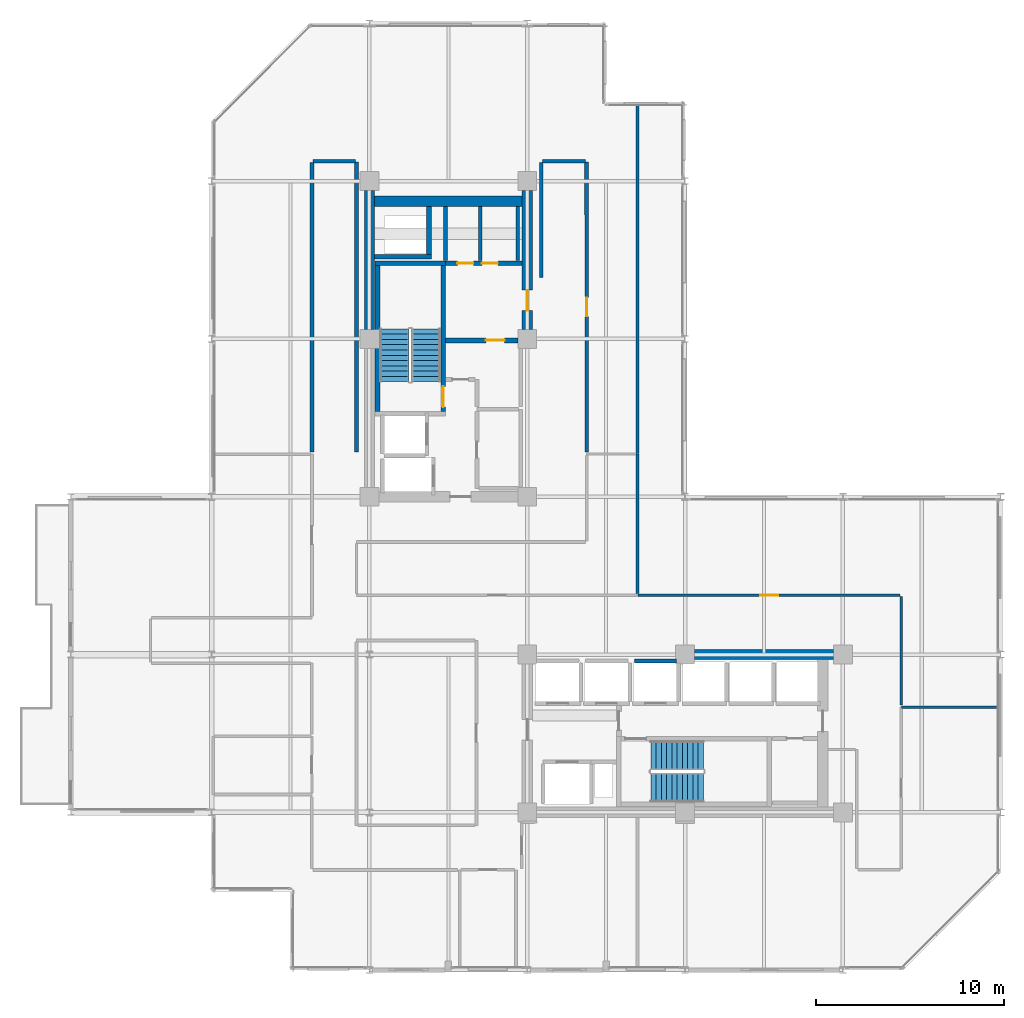
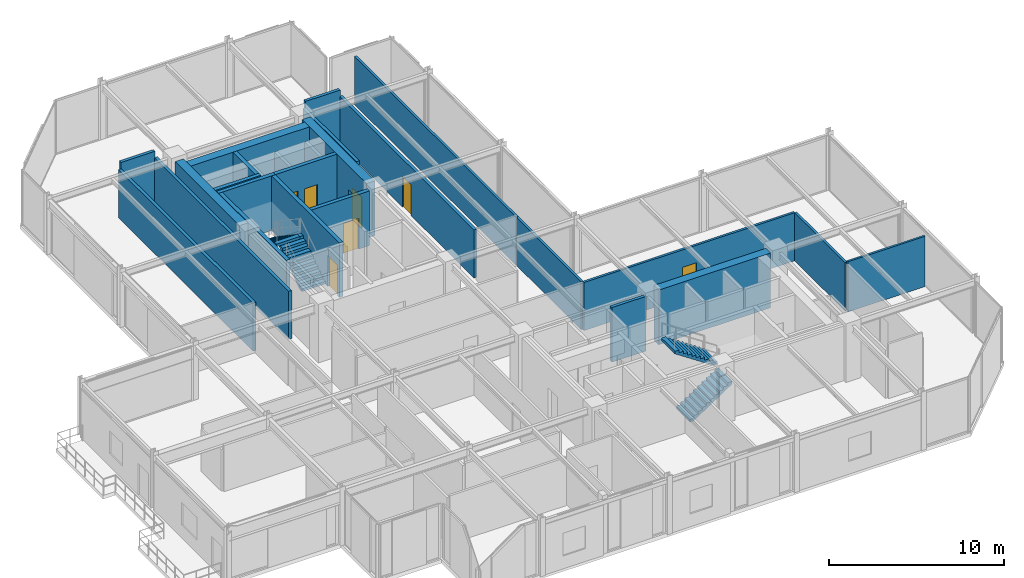
# One storey, part 26 of 29: 26 walls, 7 doors, 4 stair flights, 7 openings, 2 elements without a shape of their own.
"""IFC4 building model written with IfcOpenShell, lengths in metres."""

import ifcopenshell
import ifcopenshell.guid

model = None  # the IFC model being written
_history = None  # IfcOwnerHistory: only IFC2X3 demands one
_inside = {}  # id of a spatial element -> (the spatial element, [elements in it])
_under = {}  # id of a project, library or spatial element -> (it, [spatial elements below it])
_declared = {}  # id of a project -> (the project, [libraries it declares])
_typed = {}  # id of a type object -> (the type object, [elements of that type])
_made_of = {}  # id of a material, layer set ... -> (it, [elements and type objects made of it])


def new_model(schema):
    """Start an empty IFC model of exactly this schema.

    Asked for "IFC4X3", IfcOpenShell would pick the latest addendum, in which some entities
    have other attributes; the version numbers below select the first issue.
    IFC2X3 requires an IfcOwnerHistory on every rooted entity: one is made here for all.
    """
    global model, _history
    if schema == "IFC4X3":
        model = ifcopenshell.file(schema_version=(4, 3, 0, 0))
    else:
        model = ifcopenshell.file(schema=schema)
    _inside.clear()
    _under.clear()
    _declared.clear()
    _typed.clear()
    _made_of.clear()
    _history = None
    if model.schema == "IFC2X3":
        org = make("IfcOrganization", Name="unknown")
        user = make(
            "IfcPersonAndOrganization",
            ThePerson=make("IfcPerson", FamilyName="unknown"),
            TheOrganization=org,
        )
        app = make(
            "IfcApplication",
            ApplicationDeveloper=org,
            Version="unknown",
            ApplicationFullName="unknown",
            ApplicationIdentifier="unknown",
        )
        _history = make(
            "IfcOwnerHistory",
            OwningUser=user,
            OwningApplication=app,
            ChangeAction="ADDED",
            CreationDate=0,
        )
    return model


def make(cls, **values):
    """One entity of the class cls with the attributes given. An attribute that is None is left unset."""
    return model.create_entity(
        cls, **{name: value for name, value in values.items() if value is not None}
    )


def rooted(cls, **values):
    """An entity with a GlobalId (a new one), such as an element, a storey or a relation."""
    return make(cls, GlobalId=ifcopenshell.guid.new(), OwnerHistory=_history, **values)


def si_unit(unit_type, name, prefix=None):
    """IfcSIUnit, for example si_unit("LENGTHUNIT", "METRE", prefix="MILLI")."""
    return make("IfcSIUnit", UnitType=unit_type, Prefix=prefix, Name=name)


def assignment(units):
    """IfcUnitAssignment: the units of a project."""
    return None if units is None else make("IfcUnitAssignment", Units=units)


def point(xyz):
    """IfcCartesianPoint."""
    return None if xyz is None else make("IfcCartesianPoint", Coordinates=xyz)


def direction(xyz):
    """IfcDirection."""
    return None if xyz is None else make("IfcDirection", DirectionRatios=xyz)


def frame(location, z_axis=None, x_axis=None):
    """IfcAxis2Placement3D, a coordinate frame: its origin and axes. An axis left out is left unset."""
    return make(
        "IfcAxis2Placement3D",
        Location=point(location),
        Axis=direction(z_axis),
        RefDirection=direction(x_axis),
    )


def frame_2d(location, x_axis=None):
    """IfcAxis2Placement2D, a coordinate frame in the plane: its origin and x axis."""
    return make(
        "IfcAxis2Placement2D", Location=point(location), RefDirection=direction(x_axis)
    )


def origin():
    """The frame at (0, 0, 0) with its axes left unset."""
    return frame((0.0, 0.0, 0.0))


def place(relative_to, where):
    """IfcLocalPlacement: puts the frame where relative to a parent placement (None: the world)."""
    return make(
        "IfcLocalPlacement", PlacementRelTo=relative_to, RelativePlacement=where
    )


def context(
    kind, dimensions, precision=None, world=None, true_north=None, identifier=None
):
    """IfcGeometricRepresentationContext, for example the 3D "Model" context."""
    return make(
        "IfcGeometricRepresentationContext",
        ContextIdentifier=identifier,
        ContextType=kind,
        CoordinateSpaceDimension=dimensions,
        Precision=precision,
        WorldCoordinateSystem=world,
        TrueNorth=true_north,
    )


def subcontext(parent, identifier, kind, view, scale=None):
    """IfcGeometricRepresentationSubContext, for example "Body" below "Model"."""
    return make(
        "IfcGeometricRepresentationSubContext",
        ContextIdentifier=identifier,
        ContextType=kind,
        ParentContext=parent,
        TargetScale=scale,
        TargetView=view,
    )


def project(units=None, contexts=None):
    """IfcProject with its units and contexts."""
    return rooted(
        "IfcProject",
        Name="project",
        RepresentationContexts=contexts,
        UnitsInContext=assignment(units),
    )


def spatial(cls, under=None, at=None, **own):
    """A site, building, storey or space (cls), placed at a placement, below another one or the project."""
    s = rooted(cls, ObjectPlacement=at, **own)
    if under is not None:
        _under.setdefault(under.id(), (under, []))[1].append(s)
    return s


def polyline(points):
    """IfcPolyline through the points."""
    return make("IfcPolyline", Points=[point(p) for p in points])


def profile(cls, at=None, kind="AREA", **sizes):
    """A parametric profile (cls). Its sizes go by their IFC names, for example OverallWidth=200.0."""
    return make(cls, ProfileType=kind, Position=at, **sizes)


def rectangle(**sizes):
    """IfcRectangleProfileDef."""
    return profile("IfcRectangleProfileDef", **sizes)


def outline(outer, holes=None, kind="AREA"):
    """IfcArbitraryClosedProfileDef: a profile drawn as a closed curve; with holes, ...WithVoids."""
    if holes is None:
        return make("IfcArbitraryClosedProfileDef", ProfileType=kind, OuterCurve=outer)
    return make(
        "IfcArbitraryProfileDefWithVoids",
        ProfileType=kind,
        OuterCurve=outer,
        InnerCurves=holes,
    )


def extrude(swept, where, along, depth):
    """IfcExtrudedAreaSolid: the profile swept, set in the frame where, extruded along a direction by depth."""
    return make(
        "IfcExtrudedAreaSolid",
        SweptArea=swept,
        Position=where,
        ExtrudedDirection=direction(along),
        Depth=depth,
    )


def shape(context_of_items, identifier, shape_type, items):
    """IfcShapeRepresentation: the items that make up one representation, for example the "Body"."""
    return make(
        "IfcShapeRepresentation",
        ContextOfItems=context_of_items,
        RepresentationIdentifier=identifier,
        RepresentationType=shape_type,
        Items=items,
    )


def material(Name=None, Category=None):
    """IfcMaterial."""
    return make("IfcMaterial", Name=Name, Category=Category)


def layer(
    of_material, thickness, ventilated=None, Name=None, Category=None, Priority=None
):
    """IfcMaterialLayer: one layer of a wall or slab, of a material (None: an air gap)."""
    return make(
        "IfcMaterialLayer",
        Material=of_material,
        LayerThickness=thickness,
        IsVentilated=ventilated,
        Name=Name,
        Category=Category,
        Priority=Priority,
    )


def layer_set(layers, Name=None):
    """IfcMaterialLayerSet."""
    return make("IfcMaterialLayerSet", MaterialLayers=layers, LayerSetName=Name)


def made_of(thing, what):
    """Note that an element or type object is made of a material, layer set ...; save() writes the relation."""
    if what is not None:
        _made_of.setdefault(what.id(), (what, []))[1].append(thing)
    return thing


def type_object(cls, material=None, **own):
    """A type object (cls), such as IfcWallType, which elements share."""
    return made_of(rooted(cls, **own), material)


def element(
    cls,
    number,
    at=None,
    inside=None,
    cuts=None,
    type_object=None,
    material=None,
    context=None,
    identifier="Body",
    shape_type=None,
    held_by="IfcProductDefinitionShape",
    body=None,
    shapes=None,
    **own,
):
    """One element of the class cls, such as IfcWall. Its Tag is "e" and its number.

    at: its placement. inside: the storey or other place that contains it. cuts: it is an
    opening in that element (IfcRelVoidsElement). A single representation is given by context,
    identifier, shape_type and body (its items); several are given by shapes. held_by: the class
    of the entity that holds the representations. save() writes the other relations.
    """
    e = rooted(cls, Tag="e%d" % number, ObjectPlacement=at, **own)
    if body is not None:
        shapes = [shape(context, identifier, shape_type, body)]
    if shapes is not None:
        e.Representation = make(held_by, Representations=shapes)
    if inside is not None:
        _inside.setdefault(inside.id(), (inside, []))[1].append(e)
    if cuts is not None:
        rooted(
            "IfcRelVoidsElement", RelatingBuildingElement=cuts, RelatedOpeningElement=e
        )
    if type_object is not None:
        _typed.setdefault(type_object.id(), (type_object, []))[1].append(e)
    return made_of(e, material)


def fill(opening, filler):
    """IfcRelFillsElement: the door or window that sits in an opening."""
    return rooted(
        "IfcRelFillsElement",
        RelatingOpeningElement=opening,
        RelatedBuildingElement=filler,
    )


def aggregate(whole, parts):
    """IfcRelAggregates: a whole, such as a stair, and the parts it consists of."""
    return rooted("IfcRelAggregates", RelatingObject=whole, RelatedObjects=parts)


def save(model, path):
    """Write the relations noted so far, then the file.

    IfcRelAggregates (storeys below a building ...), IfcRelContainedInSpatialStructure (elements
    in a storey), IfcRelDefinesByType, IfcRelAssociatesMaterial and IfcRelDeclares: one each for
    every whole, place, type object, material and project.
    """
    for whole, parts in _under.values():
        aggregate(whole, parts)
    for where, things in _inside.values():
        rooted(
            "IfcRelContainedInSpatialStructure",
            RelatedElements=things,
            RelatingStructure=where,
        )
    for kind, things in _typed.values():
        rooted("IfcRelDefinesByType", RelatedObjects=things, RelatingType=kind)
    for what, things in _made_of.values():
        rooted("IfcRelAssociatesMaterial", RelatedObjects=things, RelatingMaterial=what)
    for by, libraries in _declared.values():
        rooted("IfcRelDeclares", RelatingContext=by, RelatedDefinitions=libraries)
    model.write(path)


model = new_model("IFC4")

# Units and contexts
model_context = context("Model", 3, precision=1e-05, world=origin(), true_north=direction((0.0, 1.0)))
body_context = subcontext(model_context, "Body", "Model", "MODEL_VIEW")
ifc_project = project(units=[si_unit("LENGTHUNIT", "METRE"), si_unit("AREAUNIT", "SQUARE_METRE"), si_unit("VOLUMEUNIT", "CUBIC_METRE"), si_unit("PLANEANGLEUNIT", "RADIAN"), si_unit("MASSUNIT", "GRAM", prefix="KILO")], contexts=[model_context])

# Site, building, storey
site_placement = place(None, origin())
site = spatial("IfcSite", under=ifc_project, at=site_placement, CompositionType="ELEMENT")
building_placement = place(site_placement, origin())
building = spatial("IfcBuilding", under=site, at=building_placement, Name="Nerrivon Quay Data Exchange", CompositionType="ELEMENT")
storey_placement = place(building_placement, frame((0.0, 0.0, 208.300048828125)))
storey = spatial("IfcBuildingStorey", under=building, at=storey_placement, Name="L49", CompositionType="ELEMENT", Elevation=208.300048828125)

# Walls
ifc_material_1 = material(Name="Concrete S65 (65 MPa)", Category="concrete")
ifc_layer_1 = layer(ifc_material_1, 0.550048828125)
ifc_layer_set_1 = layer_set([ifc_layer_1], Name="Concrete S65 (65 MPa)")
wall_type_1 = type_object("IfcWallType", Name="WALL-CW-700", PredefinedType="SHEAR", material=ifc_layer_set_1)
wall_1_placement = place(storey_placement, frame((8.39990234375, 34.10009765625, 0.0), z_axis=(0.0, 0.0, 1.0), x_axis=(0.0, 1.0, 0.0)))
element("IfcWall", 1, at=wall_1_placement, inside=storey, type_object=wall_type_1, Name="L49 West Split-Core Shear Wall WCW-W2", PredefinedType="SHEAR", context=body_context, shape_type="SweptSolid", body=[
    extrude(rectangle(XDim=7.39990234375, YDim=0.550048828125, at=frame_2d((3.699951171875, 0.0))), origin(), (0.0, 0.0, 1.0), 3.824951171875),
])
wall_2_placement = place(storey_placement, frame((8.675048828125, 40.925048828125, 0.0), z_axis=(0.0, 0.0, 1.0), x_axis=(1.0, 0.0, 0.0)))
element("IfcWall", 2, at=wall_2_placement, inside=storey, type_object=wall_type_1, Name="L49 West Split-Core Shear Wall WCW-N1", PredefinedType="SHEAR", context=body_context, shape_type="SweptSolid", body=[
    extrude(rectangle(XDim=7.849853515625, YDim=0.550048828125, at=frame_2d((3.9248046875, 0.0))), origin(), (0.0, 0.0, 1.0), 3.824951171875),
])

# Wall, opening, door
wall_3_placement = place(storey_placement, frame((16.800048828125, 34.10009765625, 0.0), z_axis=(0.0, 0.0, 1.0), x_axis=(0.0, 1.0, 0.0)))
wall_3 = element("IfcWall", 3, at=wall_3_placement, inside=storey, type_object=wall_type_1, Name="L49 West Split-Core Shear Wall WCW-E1", PredefinedType="SHEAR", context=body_context, shape_type="SweptSolid", body=[
    extrude(rectangle(XDim=7.39990234375, YDim=0.550048828125, at=frame_2d((3.699951171875, 0.0))), origin(), (0.0, 0.0, 1.0), 3.824951171875),
])
opening_1_placement = place(wall_3_placement, frame((1.0, 0.0, 0.0)))
opening_1 = element("IfcOpeningElement", 4, at=opening_1_placement, cuts=wall_3, Name="Opening FD-120", PredefinedType="OPENING", context=body_context, shape_type="SweptSolid", body=[
    extrude(rectangle(XDim=1.10009765625, YDim=2.14990234375, at=frame_2d((0.550048828125, 1.074951171875))), frame((0.0, 0.284912109375, 0.0), z_axis=(0.0, -1.0, 0.0), x_axis=(1.0, 0.0, 0.0)), (0.0, 0.0, 1.0), 0.570068359375),
])
ifc_material_2 = material(Name="Powder-coated galvanized steel sheet", Category="steel")
door_type_1 = type_object("IfcDoorType", Name="DR-FD120-1100", OperationType="NOTDEFINED", PredefinedType="DOOR", material=ifc_material_2)
door_1_placement = place(opening_1_placement, origin())
door_1 = element("IfcDoor", 5, at=door_1_placement, inside=storey, type_object=door_type_1, Name="L49 West Core Lobby Fire Door", OperationType="SINGLE_SWING_LEFT", OverallHeight=2.14990234375, OverallWidth=1.10009765625, PredefinedType="DOOR", context=body_context, shape_type="SweptSolid", body=[
    extrude(rectangle(XDim=1.10009765625, YDim=2.14990234375, at=frame_2d((0.550048828125, 1.074951171875))), frame((0.0, 0.02490234375, 0.0), z_axis=(0.0, -1.0, 0.0), x_axis=(1.0, 0.0, 0.0)), (0.0, 0.0, 1.0), 0.050048828125),
])
fill(opening_1, door_1)

# Walls
wall_4_placement = place(storey_placement, frame((25.699951171875, 16.800048828125, 0.0), z_axis=(0.0, 0.0, 1.0), x_axis=(1.0, 0.0, 0.0)))
element("IfcWall", 6, at=wall_4_placement, inside=storey, type_object=wall_type_1, Name="L49 East Split-Core Shear Wall ECW-N1", PredefinedType="SHEAR", context=body_context, shape_type="SweptSolid", body=[
    extrude(rectangle(XDim=7.400146484375, YDim=0.550048828125, at=frame_2d((3.7001953125, 0.0))), origin(), (0.0, 0.0, 1.0), 3.824951171875),
])
ifc_material_3 = material(Name="Gypsum plasterboard on cold-formed framing", Category="gypsum")
ifc_layer_2 = layer(ifc_material_3, 0.199951171875)
ifc_layer_set_2 = layer_set([ifc_layer_2], Name="Gypsum plasterboard on cold-formed framing")
wall_type_2 = type_object("IfcWallType", Name="WALL-FW-200", PredefinedType="PARTITIONING", material=ifc_layer_set_2)
wall_5_placement = place(storey_placement, frame((22.5, 16.449951171875, 0.0), z_axis=(0.0, 0.0, 1.0), x_axis=(1.0, 0.0, 0.0)))
element("IfcWall", 7, at=wall_5_placement, inside=storey, type_object=wall_type_2, Name="L49 Lift Shaft Wall PL6 NORTH", PredefinedType="PARTITIONING", context=body_context, shape_type="SweptSolid", body=[
    extrude(rectangle(XDim=2.25, YDim=0.199951171875, at=frame_2d((1.125, 0.0))), origin(), (0.0, 0.0, 1.0), 3.824951171875),
])
for number, where, z_axis, x_axis, name in (
    (8, (14.300048828125, 37.780029296875, 0.0), (0.0, 0.0, 1.0), (0.0, 1.0, 0.0), "L49 Partition Cleaners Store"),
    (9, (12.449951171875, 40.64599609375, 0.0), (0.0, 0.0, 1.0), (0.0, -1.0, 0.0), "L49 Partition Cleaners Store"),
    (10, (16.300048828125, 37.780029296875, 0.0), (0.0, 0.0, 1.0), (0.0, 1.0, 0.0), "L49 Partition Janitor Closet"),
):
    element("IfcWall", number, at=place(storey_placement, frame(where, z_axis=z_axis, x_axis=x_axis)), inside=storey, type_object=wall_type_2, Name=name, PredefinedType="PARTITIONING", context=body_context, shape_type="SweptSolid", body=[
        extrude(rectangle(XDim=2.865966796875, YDim=0.199951171875, at=frame_2d((1.43310546875, 0.0))), origin(), (0.0, 0.0, 1.0), 2.875),
    ])
wall_6_placement = place(storey_placement, frame((5.340087890625, 27.589111328125, 0.0), z_axis=(0.0, 0.0, 1.0), x_axis=(0.0, 1.0, 0.0)))
element("IfcWall", 11, at=wall_6_placement, inside=storey, type_object=wall_type_2, Name="L49 Partition Colocation Data Workspace 1", PredefinedType="PARTITIONING", context=body_context, shape_type="SweptSolid", body=[
    extrude(rectangle(XDim=15.410888671875, YDim=0.199951171875, at=frame_2d((7.70556640625, 0.0))), origin(), (0.0, 0.0, 1.0), 3.364990234375),
])
wall_7_placement = place(storey_placement, frame((5.39990234375, 43.06005859375, 0.0), z_axis=(0.0, 0.0, 1.0), x_axis=(1.0, 0.0, 0.0)))
element("IfcWall", 12, at=wall_7_placement, inside=storey, type_object=wall_type_2, Name="L49 Partition Colocation Data Workspace 1", PredefinedType="PARTITIONING", context=body_context, shape_type="SweptSolid", body=[
    extrude(rectangle(XDim=2.25, YDim=0.199951171875, at=frame_2d((1.125, 0.0))), origin(), (0.0, 0.0, 1.0), 3.824951171875),
])
wall_8_placement = place(storey_placement, frame((7.709716796875, 43.005859375, 0.0), z_axis=(0.0, 0.0, 1.0), x_axis=(1.5836065e-05, -0.999999999875, 0.0)))
element("IfcWall", 13, at=wall_8_placement, inside=storey, type_object=wall_type_2, Name="L49 Partition Colocation Data Workspace 1", PredefinedType="PARTITIONING", context=body_context, shape_type="SweptSolid", body=[
    extrude(rectangle(XDim=15.416748046875, YDim=0.199951171875, at=frame_2d((7.70849609375, 0.0))), origin(), (0.0, 0.0, 1.0), 3.364990234375),
])
wall_9_placement = place(storey_placement, frame((17.5400390625, 36.860107421875, 0.0), z_axis=(0.0, 0.0, 1.0), x_axis=(0.0, 1.0, 0.0)))
element("IfcWall", 14, at=wall_9_placement, inside=storey, type_object=wall_type_2, Name="L49 Partition Colocation Data Workspace 1", PredefinedType="PARTITIONING", context=body_context, shape_type="SweptSolid", body=[
    extrude(rectangle(XDim=6.139892578125, YDim=0.199951171875, at=frame_2d((3.06982421875, 0.0))), origin(), (0.0, 0.0, 1.0), 3.364990234375),
])
wall_10_placement = place(storey_placement, frame((17.60009765625, 43.06005859375, 0.0), z_axis=(0.0, 0.0, 1.0), x_axis=(1.0, 0.0, 0.0)))
element("IfcWall", 15, at=wall_10_placement, inside=storey, type_object=wall_type_2, Name="L49 Partition Colocation Data Workspace 1", PredefinedType="PARTITIONING", context=body_context, shape_type="SweptSolid", body=[
    extrude(rectangle(XDim=2.2998046875, YDim=0.199951171875, at=frame_2d((1.14990234375, 0.0))), origin(), (0.0, 0.0, 1.0), 3.824951171875),
])

# Wall, opening, door
wall_11_placement = place(storey_placement, frame((19.959716796875, 43.005859375, 0.0), z_axis=(0.0, 0.0, 1.0), x_axis=(1.5836065e-05, -0.999999999875, 0.0)))
wall_11 = element("IfcWall", 16, at=wall_11_placement, inside=storey, type_object=wall_type_2, Name="L49 Partition Colocation Data Workspace 1", PredefinedType="PARTITIONING", context=body_context, shape_type="SweptSolid", body=[
    extrude(rectangle(XDim=15.416748046875, YDim=0.199951171875, at=frame_2d((7.70849609375, 0.0))), origin(), (0.0, 0.0, 1.0), 3.364990234375),
])
opening_2_placement = place(wall_11_placement, frame((7.20849609375, 0.0, 0.0)))
opening_2 = element("IfcOpeningElement", 17, at=opening_2_placement, cuts=wall_11, Name="Opening FD-60", PredefinedType="OPENING", context=body_context, shape_type="SweptSolid", body=[
    extrude(rectangle(XDim=1.0, YDim=2.14990234375, at=frame_2d((0.5, 1.074951171875))), frame((0.0, 0.10986328125, 0.0), z_axis=(0.0, -1.0, 0.0), x_axis=(1.0, 0.0, 0.0)), (0.0, 0.0, 1.0), 0.219970703125),
])
ifc_material_4 = material(Name="Engineered hardwood timber", Category="wood")
door_type_2 = type_object("IfcDoorType", Name="DR-FD60-1000", OperationType="NOTDEFINED", PredefinedType="DOOR", material=ifc_material_4)
door_2_placement = place(opening_2_placement, origin())
door_2 = element("IfcDoor", 18, at=door_2_placement, inside=storey, type_object=door_type_2, Name="L49 Door Colocation Data Workspace 1", OperationType="SINGLE_SWING_RIGHT", OverallHeight=2.14990234375, OverallWidth=1.0, PredefinedType="DOOR", context=body_context, shape_type="SweptSolid", body=[
    extrude(rectangle(XDim=1.0, YDim=2.14990234375, at=frame_2d((0.5, 1.074951171875))), frame((0.0, 0.02490234375, 0.0), z_axis=(0.0, -1.0, 0.0), x_axis=(1.0, 0.0, 0.0)), (0.0, 0.0, 1.0), 0.050048828125),
])
fill(opening_2, door_2)

# Walls
ifc_layer_3 = layer(ifc_material_3, 0.135009765625)
ifc_layer_set_3 = layer_set([ifc_layer_3], Name="Gypsum plasterboard on cold-formed framing")
wall_type_3 = type_object("IfcWallType", Name="WALL-PT-135", PredefinedType="PARTITIONING", material=ifc_layer_set_3)
wall_12_placement = place(storey_placement, frame((41.8310546875, 14.000244140625, 0.0), z_axis=(0.0, 0.0, 1.0), x_axis=(-1.0, 0.0, 0.0)))
element("IfcWall", 19, at=wall_12_placement, inside=storey, type_object=wall_type_3, Name="L49 Partition Quiet Reading Room", PredefinedType="PARTITIONING", context=body_context, shape_type="SweptSolid", body=[
    extrude(rectangle(XDim=5.12109375, YDim=0.135009765625, at=frame_2d((2.560546875, 0.0))), origin(), (0.0, 0.0, 1.0), 3.51806640625),
])
ifc_layer_4 = layer(ifc_material_3, 0.14990234375)
ifc_layer_set_4 = layer_set([ifc_layer_4], Name="Gypsum plasterboard on cold-formed framing")
wall_type_4 = type_object("IfcWallType", Name="WALL-PT-150", PredefinedType="PARTITIONING", material=ifc_layer_set_4)
wall_13_placement = place(storey_placement, frame((22.673095703125, 20.0390625, 0.0), z_axis=(0.0, 0.0, 1.0), x_axis=(0.0, 1.0, 0.0)))
element("IfcWall", 20, at=wall_13_placement, inside=storey, type_object=wall_type_4, Name="L49 Partition Network Security Control", PredefinedType="PARTITIONING", context=body_context, shape_type="SweptSolid", body=[
    extrude(rectangle(XDim=7.43017578125, YDim=0.14990234375, at=frame_2d((3.715087890625, 0.0))), origin(), (0.0, 0.0, 1.0), 3.364990234375),
])
wall_14_placement = place(storey_placement, frame((22.673095703125, 46.031005859375, 0.0), z_axis=(0.0, 0.0, 1.0), x_axis=(0.0, -1.0, 0.0)))
element("IfcWall", 21, at=wall_14_placement, inside=storey, type_object=wall_type_4, Name="L49 Partition Staff Bistro", PredefinedType="PARTITIONING", context=body_context, shape_type="SweptSolid", body=[
    extrude(rectangle(XDim=18.541748046875, YDim=0.14990234375, at=frame_2d((9.27099609375, 0.0))), origin(), (0.0, 0.0, 1.0), 3.364990234375),
])

# Wall, opening, door
wall_15_placement = place(storey_placement, frame((22.693115234375, 19.9599609375, 0.0), z_axis=(0.0, 0.0, 1.0), x_axis=(1.0, 0.0, 0.0)))
wall_15 = element("IfcWall", 22, at=wall_15_placement, inside=storey, type_object=wall_type_4, Name="L49 Partition Staff Bistro", PredefinedType="PARTITIONING", context=body_context, shape_type="SweptSolid", body=[
    extrude(rectangle(XDim=13.956787109375, YDim=0.14990234375, at=frame_2d((6.978515625, 0.0))), origin(), (0.0, 0.0, 1.0), 3.370849609375),
])
opening_3_placement = place(wall_15_placement, frame((6.50341796875, 0.0, 0.0)))
opening_3 = element("IfcOpeningElement", 23, at=opening_3_placement, cuts=wall_15, Name="Opening D-01", PredefinedType="OPENING", context=body_context, shape_type="SweptSolid", body=[
    extrude(rectangle(XDim=0.949951171875, YDim=2.14990234375, at=frame_2d((0.47509765625, 1.074951171875))), frame((0.0, 0.0849609375, 0.0), z_axis=(0.0, -1.0, 0.0), x_axis=(1.0, 0.0, 0.0)), (0.0, 0.0, 1.0), 0.169921875),
])
door_type_3 = type_object("IfcDoorType", Name="DR-INT-950", OperationType="NOTDEFINED", PredefinedType="DOOR", material=ifc_material_4)
door_3_placement = place(opening_3_placement, origin())
door_3 = element("IfcDoor", 24, at=door_3_placement, inside=storey, type_object=door_type_3, Name="L49 Door Staff Bistro", OperationType="SINGLE_SWING_RIGHT", OverallHeight=2.14990234375, OverallWidth=0.949951171875, PredefinedType="DOOR", context=body_context, shape_type="SweptSolid", body=[
    extrude(rectangle(XDim=0.949951171875, YDim=2.14990234375, at=frame_2d((0.47509765625, 1.074951171875))), frame((0.0, 0.02490234375, 0.0), z_axis=(0.0, -1.0, 0.0), x_axis=(1.0, 0.0, 0.0)), (0.0, 0.0, 1.0), 0.050048828125),
])
fill(opening_3, door_3)

# Walls
wall_16_placement = place(storey_placement, frame((36.7099609375, 19.89990234375, 0.0), z_axis=(0.0, 0.0, 1.0), x_axis=(0.0, -1.0, 0.0)))
element("IfcWall", 25, at=wall_16_placement, inside=storey, type_object=wall_type_4, Name="L49 Partition Staff Bistro", PredefinedType="PARTITIONING", context=body_context, shape_type="SweptSolid", body=[
    extrude(rectangle(XDim=5.77978515625, YDim=0.14990234375, at=frame_2d((2.889892578125, 0.0))), origin(), (0.0, 0.0, 1.0), 3.364990234375),
])
ifc_material_5 = material(Name="Concrete N50 (50 MPa)", Category="concrete")
ifc_layer_5 = layer(ifc_material_5, 0.25)
ifc_layer_set_5 = layer_set([ifc_layer_5], Name="Concrete N50 (50 MPa)")
wall_type_5 = type_object("IfcWallType", Name="WALL-SW-250", PredefinedType="SHEAR", material=ifc_layer_set_5)
wall_17_placement = place(storey_placement, frame((12.449951171875, 37.625, 0.0), z_axis=(0.0, 0.0, 1.0), x_axis=(-1.0, 0.0, 0.0)))
element("IfcWall", 26, at=wall_17_placement, inside=storey, type_object=wall_type_5, Name="L49 ST01 Structural Stair Core Wall FAR", PredefinedType="SHEAR", context=body_context, shape_type="SweptSolid", body=[
    extrude(rectangle(XDim=3.75, YDim=0.25, at=frame_2d((1.875, 0.0))), origin(), (0.0, 0.0, 1.0), 3.824951171875),
])

# Wall, opening, door
wall_18_placement = place(storey_placement, frame((12.324951171875, 29.75, 0.0), z_axis=(0.0, 0.0, 1.0), x_axis=(0.0, 1.0, 0.0)))
wall_18 = element("IfcWall", 27, at=wall_18_placement, inside=storey, type_object=wall_type_5, Name="L49 ST01 Structural Stair Core Wall LEFT", PredefinedType="SHEAR", context=body_context, shape_type="SweptSolid", body=[
    extrude(rectangle(XDim=7.75, YDim=0.25, at=frame_2d((3.875, 0.0))), origin(), (0.0, 0.0, 1.0), 3.824951171875),
])
opening_4_placement = place(wall_18_placement, frame((0.219970703125, 0.0, 0.0)))
opening_4 = element("IfcOpeningElement", 28, at=opening_4_placement, cuts=wall_18, Name="Opening FD-120", PredefinedType="OPENING", context=body_context, shape_type="SweptSolid", body=[
    extrude(rectangle(XDim=1.10009765625, YDim=2.14990234375, at=frame_2d((0.550048828125, 1.074951171875))), frame((0.0, 0.135009765625, 0.0), z_axis=(0.0, -1.0, 0.0), x_axis=(1.0, 0.0, 0.0)), (0.0, 0.0, 1.0), 0.27001953125),
])
door_4_placement = place(opening_4_placement, origin())
door_4 = element("IfcDoor", 29, at=door_4_placement, inside=storey, type_object=door_type_1, Name="L49 Protected Stair Door ST01", OperationType="SINGLE_SWING_LEFT", OverallHeight=2.14990234375, OverallWidth=1.10009765625, PredefinedType="DOOR", context=body_context, shape_type="SweptSolid", body=[
    extrude(rectangle(XDim=1.10009765625, YDim=2.14990234375, at=frame_2d((0.550048828125, 1.074951171875))), frame((0.0, 0.02490234375, 0.0), z_axis=(0.0, -1.0, 0.0), x_axis=(1.0, 0.0, 0.0)), (0.0, 0.0, 1.0), 0.050048828125),
])
fill(opening_4, door_4)

# Walls
wall_19_placement = place(storey_placement, frame((8.824951171875, 29.75, 0.0), z_axis=(0.0, 0.0, 1.0), x_axis=(0.0, 1.0, 0.0)))
element("IfcWall", 30, at=wall_19_placement, inside=storey, type_object=wall_type_5, Name="L49 ST01 Structural Stair Core Wall RIGHT", PredefinedType="SHEAR", context=body_context, shape_type="SweptSolid", body=[
    extrude(rectangle(XDim=7.75, YDim=0.25, at=frame_2d((3.875, 0.0))), origin(), (0.0, 0.0, 1.0), 3.824951171875),
])
wall_20_placement = place(storey_placement, frame((8.675048828125, 37.97509765625, 0.0), z_axis=(0.0, 0.0, 1.0), x_axis=(1.0, 0.0, 0.0)))
element("IfcWall", 31, at=wall_20_placement, inside=storey, type_object=wall_type_5, Name="L49 West Core MEP Riser Shaft Wall S", PredefinedType="SHEAR", context=body_context, shape_type="SweptSolid", body=[
    extrude(rectangle(XDim=3.02490234375, YDim=0.25, at=frame_2d((1.512451171875, 0.0))), origin(), (0.0, 0.0, 1.0), 3.824951171875),
])
wall_21_placement = place(storey_placement, frame((11.574951171875, 38.10009765625, 0.0), z_axis=(0.0, 0.0, 1.0), x_axis=(0.0, 1.0, 0.0)))
element("IfcWall", 32, at=wall_21_placement, inside=storey, type_object=wall_type_5, Name="L49 West Core MEP Riser Shaft Wall E", PredefinedType="SHEAR", context=body_context, shape_type="SweptSolid", body=[
    extrude(rectangle(XDim=2.5498046875, YDim=0.25, at=frame_2d((1.27490234375, 0.0))), origin(), (0.0, 0.0, 1.0), 3.824951171875),
])

# Wall, opening, door
wall_22_placement = place(storey_placement, frame((12.449951171875, 33.52001953125, 0.0), z_axis=(0.0, 0.0, 1.0), x_axis=(1.0, 0.0, 0.0)))
wall_22 = element("IfcWall", 33, at=wall_22_placement, inside=storey, type_object=wall_type_5, Name="L49 West Lobby Smoke-Stop Wall", PredefinedType="SHEAR", context=body_context, shape_type="SweptSolid", body=[
    extrude(rectangle(XDim=3.85009765625, YDim=0.25, at=frame_2d((1.925048828125, 0.0))), origin(), (0.0, 0.0, 1.0), 3.824951171875),
])
opening_5_placement = place(wall_22_placement, frame((2.14990234375, 0.0, 0.0)))
opening_5 = element("IfcOpeningElement", 34, at=opening_5_placement, cuts=wall_22, Name="Opening FD-60", PredefinedType="OPENING", context=body_context, shape_type="SweptSolid", body=[
    extrude(rectangle(XDim=1.0, YDim=2.14990234375, at=frame_2d((0.5, 1.074951171875))), frame((0.0, 0.135009765625, 0.0), z_axis=(0.0, -1.0, 0.0), x_axis=(1.0, 0.0, 0.0)), (0.0, 0.0, 1.0), 0.27001953125),
])
door_5_placement = place(opening_5_placement, origin())
door_5 = element("IfcDoor", 35, at=door_5_placement, inside=storey, type_object=door_type_2, Name="L49 West Firefighting Lobby Fire Door", OperationType="SINGLE_SWING_LEFT", OverallHeight=2.14990234375, OverallWidth=1.0, PredefinedType="DOOR", context=body_context, shape_type="SweptSolid", body=[
    extrude(rectangle(XDim=1.0, YDim=2.14990234375, at=frame_2d((0.5, 1.074951171875))), frame((0.0, 0.02490234375, 0.0), z_axis=(0.0, -1.0, 0.0), x_axis=(1.0, 0.0, 0.0)), (0.0, 0.0, 1.0), 0.050048828125),
])
fill(opening_5, door_5)

# Wall, openings, doors
wall_23_placement = place(storey_placement, frame((12.449951171875, 37.625, 0.0), z_axis=(0.0, 0.0, 1.0), x_axis=(1.0, 0.0, 0.0)))
wall_23 = element("IfcWall", 36, at=wall_23_placement, inside=storey, type_object=wall_type_5, Name="L49 West Firefighting Lobby Wall", PredefinedType="SHEAR", context=body_context, shape_type="SweptSolid", body=[
    extrude(rectangle(XDim=4.074951171875, YDim=0.25, at=frame_2d((2.03759765625, 0.0))), origin(), (0.0, 0.0, 1.0), 3.824951171875),
])
opening_6_placement = place(wall_23_placement, frame((0.634521484375, 0.0, 0.0)))
opening_6 = element("IfcOpeningElement", 37, at=opening_6_placement, cuts=wall_23, Name="Opening FD-60S", PredefinedType="OPENING", context=body_context, shape_type="SweptSolid", body=[
    extrude(rectangle(XDim=0.85009765625, YDim=2.14990234375, at=frame_2d((0.425048828125, 1.074951171875))), frame((0.0, 0.135009765625, 0.0), z_axis=(0.0, -1.0, 0.0), x_axis=(1.0, 0.0, 0.0)), (0.0, 0.0, 1.0), 0.27001953125),
])
opening_7_placement = place(wall_23_placement, frame((1.9384765625, 0.0, 0.0)))
opening_7 = element("IfcOpeningElement", 38, at=opening_7_placement, cuts=wall_23, Name="Opening FD-60S", PredefinedType="OPENING", context=body_context, shape_type="SweptSolid", body=[
    extrude(rectangle(XDim=0.85009765625, YDim=2.14990234375, at=frame_2d((0.425048828125, 1.074951171875))), frame((0.0, 0.135009765625, 0.0), z_axis=(0.0, -1.0, 0.0), x_axis=(1.0, 0.0, 0.0)), (0.0, 0.0, 1.0), 0.27001953125),
])
door_type_4 = type_object("IfcDoorType", Name="DR-FD60-850", OperationType="NOTDEFINED", PredefinedType="DOOR", material=ifc_material_4)
door_6_placement = place(opening_6_placement, origin())
door_6 = element("IfcDoor", 39, at=door_6_placement, inside=storey, type_object=door_type_4, Name="L49 Door Cleaners Store", OperationType="SINGLE_SWING_LEFT", OverallHeight=2.14990234375, OverallWidth=0.85009765625, PredefinedType="DOOR", context=body_context, shape_type="SweptSolid", body=[
    extrude(rectangle(XDim=0.85009765625, YDim=2.14990234375, at=frame_2d((0.425048828125, 1.074951171875))), frame((0.0, 0.02490234375, 0.0), z_axis=(0.0, -1.0, 0.0), x_axis=(1.0, 0.0, 0.0)), (0.0, 0.0, 1.0), 0.050048828125),
])
fill(opening_6, door_6)
door_7_placement = place(opening_7_placement, origin())
door_7 = element("IfcDoor", 40, at=door_7_placement, inside=storey, type_object=door_type_4, Name="L49 Door Janitor Closet", OperationType="SINGLE_SWING_RIGHT", OverallHeight=2.14990234375, OverallWidth=0.85009765625, PredefinedType="DOOR", context=body_context, shape_type="SweptSolid", body=[
    extrude(rectangle(XDim=0.85009765625, YDim=2.14990234375, at=frame_2d((0.425048828125, 1.074951171875))), frame((0.0, 0.02490234375, 0.0), z_axis=(0.0, -1.0, 0.0), x_axis=(1.0, 0.0, 0.0)), (0.0, 0.0, 1.0), 0.050048828125),
])
fill(opening_7, door_7)

# Stair, stair flights
stair_type = type_object("IfcStairType", Name="STAIR-DOG-41", PredefinedType="HALF_TURN_STAIR", material=ifc_material_5)
stair_1_placement = place(storey_placement, origin())
stair_1 = element("IfcStair", 41, at=stair_1_placement, inside=storey, type_object=stair_type, Name="L49 West Core Fire Stair ST01", PredefinedType="HALF_TURN_STAIR")
stair_flight_type = type_object("IfcStairFlightType", Name="FLIGHT-DOG-41", PredefinedType="STRAIGHT", material=ifc_material_5)
stair_flight_1_placement = place(storey_placement, frame((11.425048828125, 31.330078125, 0.0), z_axis=(0.0, 0.0, 1.0), x_axis=(0.0, 1.0, 0.0)))
stair_flight_1 = element("IfcStairFlight", 42, at=stair_flight_1_placement, type_object=stair_flight_type, Name="ST01 flight 1", NumberOfRisers=11, NumberOfTreads=10, PredefinedType="STRAIGHT", RiserHeight=0.186363636, TreadLength=0.28, context=body_context, shape_type="SweptSolid", body=[
    extrude(outline(polyline([(0.0, 0.0), (0.0, 0.186279296875), (0.280029296875, 0.186279296875), (0.280029296875, 0.372802734375), (0.56005859375, 0.372802734375), (0.56005859375, 0.55908203125), (0.840087890625, 0.55908203125), (0.840087890625, 0.745361328125), (1.1201171875, 0.745361328125), (1.1201171875, 0.931884765625), (1.39990234375, 0.931884765625), (1.39990234375, 1.1181640625), (1.679931640625, 1.1181640625), (1.679931640625, 1.304443359375), (1.9599609375, 1.304443359375), (1.9599609375, 1.490966796875), (2.239990234375, 1.490966796875), (2.239990234375, 1.67724609375), (2.52001953125, 1.67724609375), (2.52001953125, 1.863525390625), (2.800048828125, 1.863525390625), (2.800048828125, 2.050048828125), (2.800048828125, 1.68359375), (0.2705078125, 0.0), (0.0, 0.0)])), frame((0.0, 0.77490234375, 0.0), z_axis=(0.0, -1.0, 0.0), x_axis=(1.0, 0.0, 0.0)), (0.0, 0.0, 1.0), 1.550048828125),
])
stair_flight_2_placement = place(storey_placement, frame((9.72509765625, 34.1298828125, 2.050048828125), z_axis=(0.0, 0.0, 1.0), x_axis=(0.0, -1.0, 0.0)))
stair_flight_2 = element("IfcStairFlight", 43, at=stair_flight_2_placement, type_object=stair_flight_type, Name="ST01 flight 2", NumberOfRisers=11, NumberOfTreads=10, PredefinedType="STRAIGHT", RiserHeight=0.186363636, TreadLength=0.28, context=body_context, shape_type="SweptSolid", body=[
    extrude(outline(polyline([(0.0, 0.0), (0.0, 0.186279296875), (0.280029296875, 0.186279296875), (0.280029296875, 0.372802734375), (0.56005859375, 0.372802734375), (0.56005859375, 0.55908203125), (0.840087890625, 0.55908203125), (0.840087890625, 0.745361328125), (1.1201171875, 0.745361328125), (1.1201171875, 0.931884765625), (1.39990234375, 0.931884765625), (1.39990234375, 1.1181640625), (1.679931640625, 1.1181640625), (1.679931640625, 1.304443359375), (1.9599609375, 1.304443359375), (1.9599609375, 1.490966796875), (2.239990234375, 1.490966796875), (2.239990234375, 1.67724609375), (2.52001953125, 1.67724609375), (2.52001953125, 1.863525390625), (2.800048828125, 1.863525390625), (2.800048828125, 2.050048828125), (2.800048828125, 1.68359375), (0.2705078125, 0.0), (0.0, 0.0)])), frame((0.0, 0.77490234375, 0.0), z_axis=(0.0, -1.0, 0.0), x_axis=(1.0, 0.0, 0.0)), (0.0, 0.0, 1.0), 1.550048828125),
])
aggregate(stair_1, [stair_flight_1, stair_flight_2])

stair_2_placement = place(storey_placement, origin())
stair_2 = element("IfcStair", 44, at=stair_2_placement, inside=storey, type_object=stair_type, Name="L49 East Core Fire Stair ST02", PredefinedType="HALF_TURN_STAIR")
stair_flight_3_placement = place(storey_placement, frame((23.3798828125, 9.72509765625, 0.0), z_axis=(0.0, 0.0, 1.0), x_axis=(1.0, 0.0, 0.0)))
stair_flight_3 = element("IfcStairFlight", 45, at=stair_flight_3_placement, type_object=stair_flight_type, Name="ST02 flight 1", NumberOfRisers=11, NumberOfTreads=10, PredefinedType="STRAIGHT", RiserHeight=0.186363636, TreadLength=0.28, context=body_context, shape_type="SweptSolid", body=[
    extrude(outline(polyline([(0.0, 0.0), (0.0, 0.186279296875), (0.280029296875, 0.186279296875), (0.280029296875, 0.372802734375), (0.56005859375, 0.372802734375), (0.56005859375, 0.55908203125), (0.840087890625, 0.55908203125), (0.840087890625, 0.745361328125), (1.1201171875, 0.745361328125), (1.1201171875, 0.931884765625), (1.39990234375, 0.931884765625), (1.39990234375, 1.1181640625), (1.679931640625, 1.1181640625), (1.679931640625, 1.304443359375), (1.9599609375, 1.304443359375), (1.9599609375, 1.490966796875), (2.239990234375, 1.490966796875), (2.239990234375, 1.67724609375), (2.52001953125, 1.67724609375), (2.52001953125, 1.863525390625), (2.800048828125, 1.863525390625), (2.800048828125, 2.050048828125), (2.800048828125, 1.68359375), (0.2705078125, 0.0), (0.0, 0.0)])), frame((0.0, 0.77490234375, 0.0), z_axis=(0.0, -1.0, 0.0), x_axis=(1.0, 0.0, 0.0)), (0.0, 0.0, 1.0), 1.550048828125),
])
stair_flight_4_placement = place(storey_placement, frame((26.179931640625, 11.425048828125, 2.050048828125), z_axis=(0.0, 0.0, 1.0), x_axis=(-1.0, 0.0, 0.0)))
stair_flight_4 = element("IfcStairFlight", 46, at=stair_flight_4_placement, type_object=stair_flight_type, Name="ST02 flight 2", NumberOfRisers=11, NumberOfTreads=10, PredefinedType="STRAIGHT", RiserHeight=0.186363636, TreadLength=0.28, context=body_context, shape_type="SweptSolid", body=[
    extrude(outline(polyline([(0.0, 0.0), (0.0, 0.186279296875), (0.280029296875, 0.186279296875), (0.280029296875, 0.372802734375), (0.56005859375, 0.372802734375), (0.56005859375, 0.55908203125), (0.840087890625, 0.55908203125), (0.840087890625, 0.745361328125), (1.1201171875, 0.745361328125), (1.1201171875, 0.931884765625), (1.39990234375, 0.931884765625), (1.39990234375, 1.1181640625), (1.679931640625, 1.1181640625), (1.679931640625, 1.304443359375), (1.9599609375, 1.304443359375), (1.9599609375, 1.490966796875), (2.239990234375, 1.490966796875), (2.239990234375, 1.67724609375), (2.52001953125, 1.67724609375), (2.52001953125, 1.863525390625), (2.800048828125, 1.863525390625), (2.800048828125, 2.050048828125), (2.800048828125, 1.68359375), (0.2705078125, 0.0), (0.0, 0.0)])), frame((0.0, 0.77490234375, 0.0), z_axis=(0.0, -1.0, 0.0), x_axis=(1.0, 0.0, 0.0)), (0.0, 0.0, 1.0), 1.550048828125),
])
aggregate(stair_2, [stair_flight_3, stair_flight_4])

save(model, "model.ifc")
